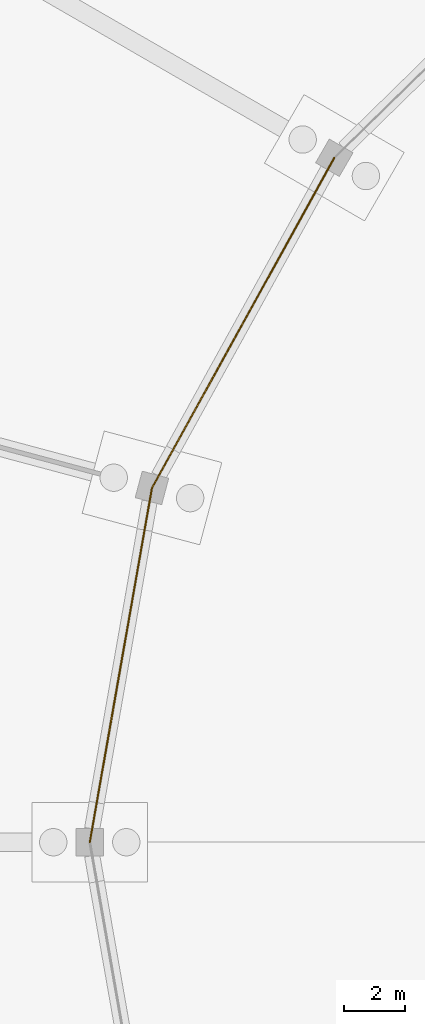
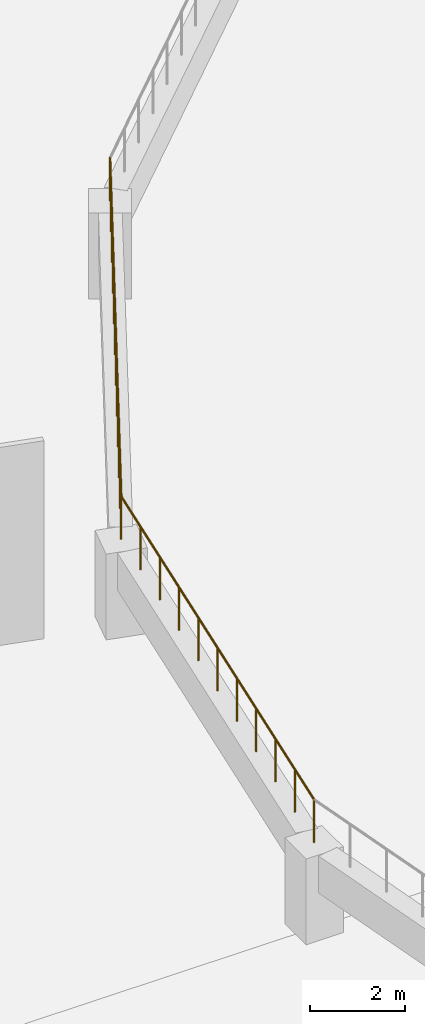
# One storey, part 68 of 103: 2 railings.
"""IFC4 building model written with IfcOpenShell, lengths in metres."""

import ifcopenshell
import ifcopenshell.guid

model = None  # the IFC model being written
_history = None  # IfcOwnerHistory: only IFC2X3 demands one
_inside = {}  # id of a spatial element -> (the spatial element, [elements in it])
_under = {}  # id of a project, library or spatial element -> (it, [spatial elements below it])
_declared = {}  # id of a project -> (the project, [libraries it declares])
_typed = {}  # id of a type object -> (the type object, [elements of that type])
_made_of = {}  # id of a material, layer set ... -> (it, [elements and type objects made of it])


def new_model(schema):
    """Start an empty IFC model of exactly this schema.

    Asked for "IFC4X3", IfcOpenShell would pick the latest addendum, in which some entities
    have other attributes; the version numbers below select the first issue.
    IFC2X3 requires an IfcOwnerHistory on every rooted entity: one is made here for all.
    """
    global model, _history
    if schema == "IFC4X3":
        model = ifcopenshell.file(schema_version=(4, 3, 0, 0))
    else:
        model = ifcopenshell.file(schema=schema)
    _inside.clear()
    _under.clear()
    _declared.clear()
    _typed.clear()
    _made_of.clear()
    _history = None
    if model.schema == "IFC2X3":
        org = make("IfcOrganization", Name="unknown")
        user = make(
            "IfcPersonAndOrganization",
            ThePerson=make("IfcPerson", FamilyName="unknown"),
            TheOrganization=org,
        )
        app = make(
            "IfcApplication",
            ApplicationDeveloper=org,
            Version="unknown",
            ApplicationFullName="unknown",
            ApplicationIdentifier="unknown",
        )
        _history = make(
            "IfcOwnerHistory",
            OwningUser=user,
            OwningApplication=app,
            ChangeAction="ADDED",
            CreationDate=0,
        )
    return model


def make(cls, **values):
    """One entity of the class cls with the attributes given. An attribute that is None is left unset."""
    return model.create_entity(
        cls, **{name: value for name, value in values.items() if value is not None}
    )


def rooted(cls, **values):
    """An entity with a GlobalId (a new one), such as an element, a storey or a relation."""
    return make(cls, GlobalId=ifcopenshell.guid.new(), OwnerHistory=_history, **values)


def si_unit(unit_type, name, prefix=None):
    """IfcSIUnit, for example si_unit("LENGTHUNIT", "METRE", prefix="MILLI")."""
    return make("IfcSIUnit", UnitType=unit_type, Prefix=prefix, Name=name)


def assignment(units):
    """IfcUnitAssignment: the units of a project."""
    return None if units is None else make("IfcUnitAssignment", Units=units)


def point(xyz):
    """IfcCartesianPoint."""
    return None if xyz is None else make("IfcCartesianPoint", Coordinates=xyz)


def direction(xyz):
    """IfcDirection."""
    return None if xyz is None else make("IfcDirection", DirectionRatios=xyz)


def frame(location, z_axis=None, x_axis=None):
    """IfcAxis2Placement3D, a coordinate frame: its origin and axes. An axis left out is left unset."""
    return make(
        "IfcAxis2Placement3D",
        Location=point(location),
        Axis=direction(z_axis),
        RefDirection=direction(x_axis),
    )


def frame_2d(location, x_axis=None):
    """IfcAxis2Placement2D, a coordinate frame in the plane: its origin and x axis."""
    return make(
        "IfcAxis2Placement2D", Location=point(location), RefDirection=direction(x_axis)
    )


def origin():
    """The frame at (0, 0, 0) with its axes left unset."""
    return frame((0.0, 0.0, 0.0))


def origin_2d():
    """The frame at (0, 0) in the plane with its x axis left unset."""
    return frame_2d((0.0, 0.0))


def place(relative_to, where):
    """IfcLocalPlacement: puts the frame where relative to a parent placement (None: the world)."""
    return make(
        "IfcLocalPlacement", PlacementRelTo=relative_to, RelativePlacement=where
    )


def context(
    kind, dimensions, precision=None, world=None, true_north=None, identifier=None
):
    """IfcGeometricRepresentationContext, for example the 3D "Model" context."""
    return make(
        "IfcGeometricRepresentationContext",
        ContextIdentifier=identifier,
        ContextType=kind,
        CoordinateSpaceDimension=dimensions,
        Precision=precision,
        WorldCoordinateSystem=world,
        TrueNorth=true_north,
    )


def subcontext(parent, identifier, kind, view, scale=None):
    """IfcGeometricRepresentationSubContext, for example "Body" below "Model"."""
    return make(
        "IfcGeometricRepresentationSubContext",
        ContextIdentifier=identifier,
        ContextType=kind,
        ParentContext=parent,
        TargetScale=scale,
        TargetView=view,
    )


def project(units=None, contexts=None):
    """IfcProject with its units and contexts."""
    return rooted(
        "IfcProject",
        Name="project",
        RepresentationContexts=contexts,
        UnitsInContext=assignment(units),
    )


def spatial(cls, under=None, at=None, **own):
    """A site, building, storey or space (cls), placed at a placement, below another one or the project."""
    s = rooted(cls, ObjectPlacement=at, **own)
    if under is not None:
        _under.setdefault(under.id(), (under, []))[1].append(s)
    return s


def profile(cls, at=None, kind="AREA", **sizes):
    """A parametric profile (cls). Its sizes go by their IFC names, for example OverallWidth=200.0."""
    return make(cls, ProfileType=kind, Position=at, **sizes)


def circle(**sizes):
    """IfcCircleProfileDef."""
    return profile("IfcCircleProfileDef", **sizes)


def extrude(swept, where, along, depth):
    """IfcExtrudedAreaSolid: the profile swept, set in the frame where, extruded along a direction by depth."""
    return make(
        "IfcExtrudedAreaSolid",
        SweptArea=swept,
        Position=where,
        ExtrudedDirection=direction(along),
        Depth=depth,
    )


def shape(context_of_items, identifier, shape_type, items):
    """IfcShapeRepresentation: the items that make up one representation, for example the "Body"."""
    return make(
        "IfcShapeRepresentation",
        ContextOfItems=context_of_items,
        RepresentationIdentifier=identifier,
        RepresentationType=shape_type,
        Items=items,
    )


def material(Name=None, Category=None):
    """IfcMaterial."""
    return make("IfcMaterial", Name=Name, Category=Category)


def made_of(thing, what):
    """Note that an element or type object is made of a material, layer set ...; save() writes the relation."""
    if what is not None:
        _made_of.setdefault(what.id(), (what, []))[1].append(thing)
    return thing


def type_object(cls, material=None, **own):
    """A type object (cls), such as IfcWallType, which elements share."""
    return made_of(rooted(cls, **own), material)


def element(
    cls,
    number,
    at=None,
    inside=None,
    cuts=None,
    type_object=None,
    material=None,
    context=None,
    identifier="Body",
    shape_type=None,
    held_by="IfcProductDefinitionShape",
    body=None,
    shapes=None,
    **own,
):
    """One element of the class cls, such as IfcWall. Its Tag is "e" and its number.

    at: its placement. inside: the storey or other place that contains it. cuts: it is an
    opening in that element (IfcRelVoidsElement). A single representation is given by context,
    identifier, shape_type and body (its items); several are given by shapes. held_by: the class
    of the entity that holds the representations. save() writes the other relations.
    """
    e = rooted(cls, Tag="e%d" % number, ObjectPlacement=at, **own)
    if body is not None:
        shapes = [shape(context, identifier, shape_type, body)]
    if shapes is not None:
        e.Representation = make(held_by, Representations=shapes)
    if inside is not None:
        _inside.setdefault(inside.id(), (inside, []))[1].append(e)
    if cuts is not None:
        rooted(
            "IfcRelVoidsElement", RelatingBuildingElement=cuts, RelatedOpeningElement=e
        )
    if type_object is not None:
        _typed.setdefault(type_object.id(), (type_object, []))[1].append(e)
    return made_of(e, material)


def aggregate(whole, parts):
    """IfcRelAggregates: a whole, such as a stair, and the parts it consists of."""
    return rooted("IfcRelAggregates", RelatingObject=whole, RelatedObjects=parts)


def save(model, path):
    """Write the relations noted so far, then the file.

    IfcRelAggregates (storeys below a building ...), IfcRelContainedInSpatialStructure (elements
    in a storey), IfcRelDefinesByType, IfcRelAssociatesMaterial and IfcRelDeclares: one each for
    every whole, place, type object, material and project.
    """
    for whole, parts in _under.values():
        aggregate(whole, parts)
    for where, things in _inside.values():
        rooted(
            "IfcRelContainedInSpatialStructure",
            RelatedElements=things,
            RelatingStructure=where,
        )
    for kind, things in _typed.values():
        rooted("IfcRelDefinesByType", RelatedObjects=things, RelatingType=kind)
    for what, things in _made_of.values():
        rooted("IfcRelAssociatesMaterial", RelatedObjects=things, RelatingMaterial=what)
    for by, libraries in _declared.values():
        rooted("IfcRelDeclares", RelatingContext=by, RelatedDefinitions=libraries)
    model.write(path)


model = new_model("IFC4")

# Units and contexts
model_context = context("Model", 3, precision=1e-05, world=origin(), true_north=direction((0.0, 1.0)))
body_context = subcontext(model_context, "Body", "Model", "MODEL_VIEW")
ifc_project = project(units=[si_unit("LENGTHUNIT", "METRE"), si_unit("AREAUNIT", "SQUARE_METRE"), si_unit("VOLUMEUNIT", "CUBIC_METRE"), si_unit("PLANEANGLEUNIT", "RADIAN"), si_unit("MASSUNIT", "GRAM", prefix="KILO")], contexts=[model_context])

# Site, building, storey
site_placement = place(None, origin())
site = spatial("IfcSite", under=ifc_project, at=site_placement, CompositionType="ELEMENT")
building_placement = place(site_placement, origin())
building = spatial("IfcBuilding", under=site, at=building_placement, Name="Zevraka Park Crest Stadium", CompositionType="ELEMENT")
storey_placement = place(building_placement, origin())
storey = spatial("IfcBuildingStorey", under=building, at=storey_placement, Name="L00", CompositionType="ELEMENT", Elevation=0.0)

# Railings
ifc_material = material(Name="Laminated glass and stainless steel sightline bowl guard", Category="steel")
railing_type = type_object("IfcRailingType", Name="GR02", PredefinedType="GUARDRAIL", material=ifc_material)
railing_1_placement = place(storey_placement, frame((60.0380859375, 114.5, 2.199951171875)))
element("IfcRailing", 1, at=railing_1_placement, inside=storey, type_object=railing_type, Name="Lower Tier Pitch Sightline Guard GR02 10", PredefinedType="GUARDRAIL", context=body_context, shape_type="SweptSolid", body=[
    extrude(circle(Radius=0.02392578125, at=origin_2d()), frame((0.0, 0.0, 1.09619140625), z_axis=(-0.483464590842, -0.875363918266, 0.0), x_axis=(0.875363918266, -0.483464590842, 0.0)), (0.0, 0.0, 1.0), 12.398193359375),
    extrude(circle(Radius=0.02099609375, at=origin_2d()), origin(), (0.0, 0.0, 1.0), 1.072021484375),
    extrude(circle(Radius=0.02099609375, at=origin_2d()), frame((-0.544921875, -0.986572265625, 0.0)), (0.0, 0.0, 1.0), 1.072021484375),
    extrude(circle(Radius=0.02099609375, at=origin_2d()), frame((-1.08984375, -1.973388671875, 0.0)), (0.0, 0.0, 1.0), 1.072021484375),
    extrude(circle(Radius=0.02099609375, at=origin_2d()), frame((-1.634765625, -2.9599609375, 0.0)), (0.0, 0.0, 1.0), 1.072021484375),
    extrude(circle(Radius=0.02099609375, at=origin_2d()), frame((-2.1796875, -3.946533203125, 0.0)), (0.0, 0.0, 1.0), 1.072021484375),
    extrude(circle(Radius=0.02099609375, at=origin_2d()), frame((-2.724609375, -4.93310546875, 0.0)), (0.0, 0.0, 1.0), 1.072021484375),
    extrude(circle(Radius=0.02099609375, at=origin_2d()), frame((-3.26953125, -5.919921875, 0.0)), (0.0, 0.0, 1.0), 1.072021484375),
    extrude(circle(Radius=0.02099609375, at=origin_2d()), frame((-3.814453125, -6.906494140625, 0.0)), (0.0, 0.0, 1.0), 1.072021484375),
    extrude(circle(Radius=0.02099609375, at=origin_2d()), frame((-4.359375, -7.89306640625, 0.0)), (0.0, 0.0, 1.0), 1.072021484375),
    extrude(circle(Radius=0.02099609375, at=origin_2d()), frame((-4.904296875, -8.879638671875, 0.0)), (0.0, 0.0, 1.0), 1.072021484375),
    extrude(circle(Radius=0.02099609375, at=origin_2d()), frame((-5.44921875, -9.866455078125, 0.0)), (0.0, 0.0, 1.0), 1.072021484375),
    extrude(circle(Radius=0.02099609375, at=origin_2d()), frame((-5.994140625, -10.85302734375, 0.0)), (0.0, 0.0, 1.0), 1.072021484375),
])
railing_2_placement = place(storey_placement, frame((54.0439453125, 103.64697265625, 2.199951171875)))
element("IfcRailing", 2, at=railing_2_placement, inside=storey, type_object=railing_type, Name="Lower Tier Pitch Sightline Guard GR02 11", PredefinedType="GUARDRAIL", context=body_context, shape_type="SweptSolid", body=[
    extrude(circle(Radius=0.02392578125, at=origin_2d()), frame((0.0, 0.0, 1.09619140625), z_axis=(-0.172850079184, -0.984948145907, 0.0), x_axis=(0.984948145907, -0.172850079184, 0.0)), (0.0, 0.0, 1.0), 11.824951171875),
    extrude(circle(Radius=0.02099609375, at=origin_2d()), origin(), (0.0, 0.0, 1.0), 1.072021484375),
    extrude(circle(Radius=0.02099609375, at=origin_2d()), frame((-0.204345703125, -1.164794921875, 0.0)), (0.0, 0.0, 1.0), 1.072021484375),
    extrude(circle(Radius=0.02099609375, at=origin_2d()), frame((-0.40869140625, -2.329345703125, 0.0)), (0.0, 0.0, 1.0), 1.072021484375),
    extrude(circle(Radius=0.02099609375, at=origin_2d()), frame((-0.61328125, -3.494140625, 0.0)), (0.0, 0.0, 1.0), 1.072021484375),
    extrude(circle(Radius=0.02099609375, at=origin_2d()), frame((-0.817626953125, -4.65869140625, 0.0)), (0.0, 0.0, 1.0), 1.072021484375),
    extrude(circle(Radius=0.02099609375, at=origin_2d()), frame((-1.02197265625, -5.823486328125, 0.0)), (0.0, 0.0, 1.0), 1.072021484375),
    extrude(circle(Radius=0.02099609375, at=origin_2d()), frame((-1.226318359375, -6.98828125, 0.0)), (0.0, 0.0, 1.0), 1.072021484375),
    extrude(circle(Radius=0.02099609375, at=origin_2d()), frame((-1.4306640625, -8.15283203125, 0.0)), (0.0, 0.0, 1.0), 1.072021484375),
    extrude(circle(Radius=0.02099609375, at=origin_2d()), frame((-1.63525390625, -9.317626953125, 0.0)), (0.0, 0.0, 1.0), 1.072021484375),
    extrude(circle(Radius=0.02099609375, at=origin_2d()), frame((-1.839599609375, -10.482177734375, 0.0)), (0.0, 0.0, 1.0), 1.072021484375),
    extrude(circle(Radius=0.02099609375, at=origin_2d()), frame((-2.0439453125, -11.64697265625, 0.0)), (0.0, 0.0, 1.0), 1.072021484375),
])

save(model, "model.ifc")
